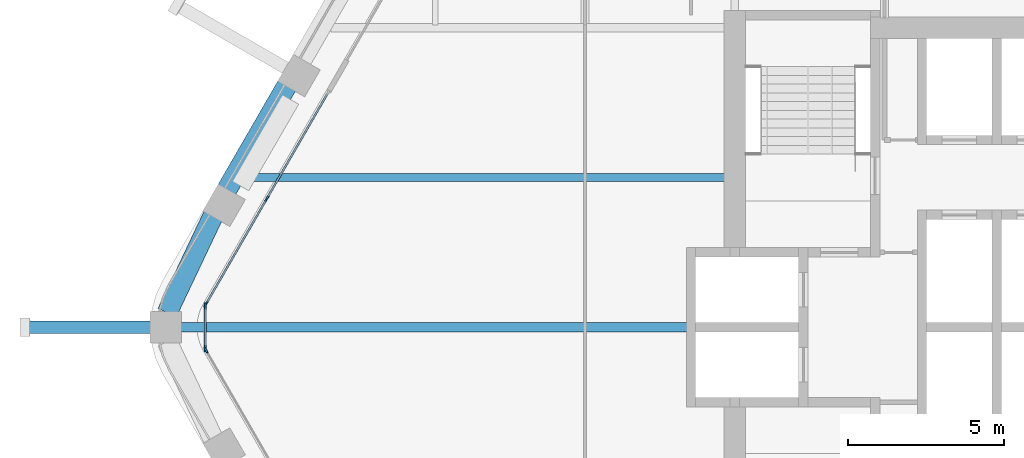
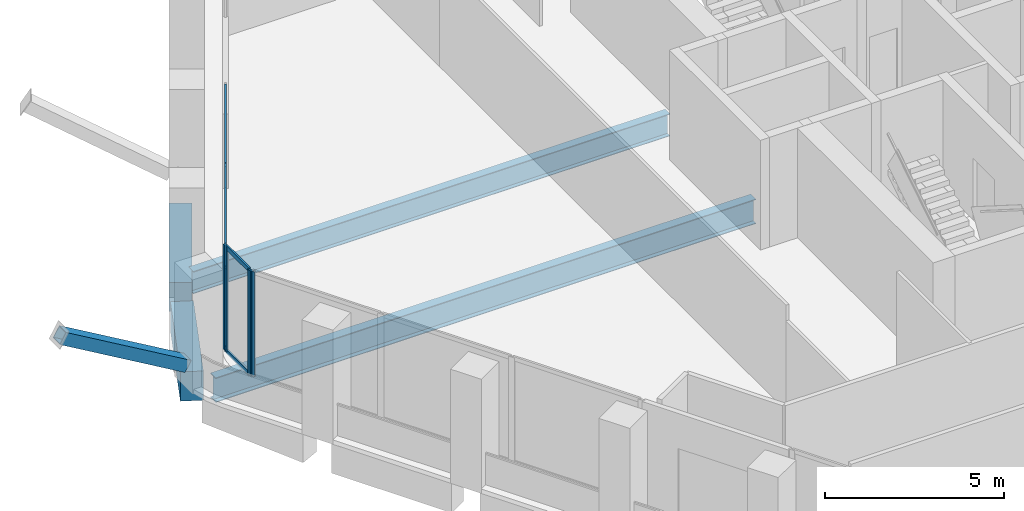
# One storey, part 3 of 16: 12 members, 4 beams, 3 elements without a shape of their own.
"""IFC4 building model written with IfcOpenShell, lengths in metres."""

from ifc_helpers import new_model, si_unit, direction, frame, origin, origin_2d, place, context, subcontext, project, spatial, rectangle, hollow_rectangle, i_section, extrude, material, material_profile, profile_set, type_object, element, aggregate, save


model = new_model("IFC4")

# Units and contexts
model_context = context("Model", 3, precision=1e-05, world=origin(), true_north=direction((0.0, 1.0)))
body_context = subcontext(model_context, "Body", "Model", "MODEL_VIEW")
ifc_project = project(units=[si_unit("LENGTHUNIT", "METRE"), si_unit("AREAUNIT", "SQUARE_METRE"), si_unit("VOLUMEUNIT", "CUBIC_METRE"), si_unit("PLANEANGLEUNIT", "RADIAN"), si_unit("MASSUNIT", "GRAM", prefix="KILO")], contexts=[model_context])

# Site, building, storey
site_placement = place(None, origin())
site = spatial("IfcSite", under=ifc_project, at=site_placement, CompositionType="ELEMENT")
building_placement = place(site_placement, origin())
building = spatial("IfcBuilding", under=site, at=building_placement, Name="Kolab Exchange Tower", CompositionType="ELEMENT")
storey_placement = place(building_placement, frame((0.0, 0.0, 146.60009765625)))
storey = spatial("IfcBuildingStorey", under=building, at=storey_placement, Name="L29", CompositionType="ELEMENT", Elevation=146.60009765625)

# Beams
ifc_material_1 = material(Name="Steel S355", Category="steel")
ifc_material_profile_1 = material_profile(ifc_material_1, i_section(OverallWidth=0.26708984375, OverallDepth=0.761962890625, WebThickness=0.014404296875, FlangeThickness=0.021484375, at=origin_2d()), Name="W760X173")
ifc_profile_set_1 = profile_set([ifc_material_profile_1], Name="Steel S355")
beam_type_1 = type_object("IfcBeamType", Name="FLOOR BEAM W760X173", PredefinedType="BEAM", material=ifc_profile_set_1)
beam_1_placement = place(storey_placement, frame((-25.318115234375, 4.800048828125, -0.531005859375), z_axis=(1.0, 0.0, 0.0), x_axis=(0.0, 1.0, 0.0)))
element("IfcBeam", 1, at=beam_1_placement, inside=storey, type_object=beam_type_1, Name="beam/L29/fr/002", PredefinedType="BEAM", context=body_context, shape_type="SweptSolid", body=[
    extrude(i_section(OverallWidth=0.26708984375, OverallDepth=0.761962890625, WebThickness=0.014404296875, FlangeThickness=0.021484375, at=origin_2d()), origin(), (0.0, 0.0, 1.0), 15.408203125),
])
ifc_material_profile_2 = material_profile(ifc_material_1, i_section(OverallWidth=0.2919921875, OverallDepth=0.840087890625, WebThickness=0.0146484375, FlangeThickness=0.021728515625, at=origin_2d()), Name="W840X193")
ifc_profile_set_2 = profile_set([ifc_material_profile_2], Name="Steel S355")
beam_type_2 = type_object("IfcBeamType", Name="FLOOR BEAM W840X193", PredefinedType="BEAM", material=ifc_profile_set_2)
beam_2_placement = place(storey_placement, frame((-27.3759765625, 0.0, -0.570068359375), z_axis=(1.0, 0.0, 0.0), x_axis=(0.0, 1.0, 0.0)))
element("IfcBeam", 2, at=beam_2_placement, inside=storey, type_object=beam_type_2, Name="beam/L29/fr/000", PredefinedType="BEAM", context=body_context, shape_type="SweptSolid", body=[
    extrude(i_section(OverallWidth=0.2919921875, OverallDepth=0.840087890625, WebThickness=0.0146484375, FlangeThickness=0.021728515625, at=origin_2d()), origin(), (0.0, 0.0, 1.0), 17.466064453125),
])

# Member
ifc_material_profile_3 = material_profile(ifc_material_1, hollow_rectangle(XDim=0.39990234375, YDim=0.39990234375, WallThickness=0.02001953125, at=origin_2d()), Name="HSS400X400X20")
ifc_profile_set_3 = profile_set([ifc_material_profile_3], Name="Steel S355")
member_type_1 = type_object("IfcMemberType", Name="LEDGE STRUT HSS400X400X20", PredefinedType="STRUT", material=ifc_profile_set_3)
member_1_placement = place(storey_placement, frame((-28.2958984375, 0.0, 0.599853515625), z_axis=(-0.862710518859, 0.0, 0.505698092394), x_axis=(0.0, -1.0, 0.0)))
element("IfcMember", 3, at=member_1_placement, inside=storey, type_object=member_type_1, Name="mem/L29/ledge/strut-0", PredefinedType="STRUT", context=body_context, shape_type="SweptSolid", body=[
    extrude(hollow_rectangle(XDim=0.39990234375, YDim=0.39990234375, WallThickness=0.02001953125, at=origin_2d()), origin(), (0.0, 0.0, 1.0), 4.682861328125),
])

# Beams
ifc_material_2 = material(Name="Concrete C60/75", Category="concrete")
ifc_material_profile_4 = material_profile(ifc_material_2, rectangle(XDim=0.64990234375, YDim=1.0, at=origin_2d()), Name="RC650X1000")
ifc_profile_set_4 = profile_set([ifc_material_profile_4], Name="Concrete C60/75")
beam_type_3 = type_object("IfcBeamType", Name="SPANDREL BEAM 650X1000 C60/75", PredefinedType="BEAM", material=ifc_profile_set_4)
beam_3_placement = place(storey_placement, frame((-27.791259765625, 0.4638671875, -0.650146484375), z_axis=(0.428177731975, 0.903694544545, 0.0), x_axis=(-0.903694544545, 0.428177731975, 0.0)))
element("IfcBeam", 4, at=beam_3_placement, inside=storey, type_object=beam_type_3, Name="beam/L29/sp/F6-01", PredefinedType="BEAM", context=body_context, shape_type="SweptSolid", body=[
    extrude(rectangle(XDim=0.64990234375, YDim=1.0, at=origin_2d()), origin(), (0.0, 0.0, 1.0), 3.445068359375),
])
beam_4_placement = place(storey_placement, frame((-25.888427734375, 4.392822265625, -0.650146484375), z_axis=(0.499996613652, 0.866027358884, 0.0), x_axis=(-0.866027358884, 0.499996613652, 0.0)))
element("IfcBeam", 5, at=beam_4_placement, inside=storey, type_object=beam_type_3, Name="beam/L29/sp/F6-02", PredefinedType="BEAM", context=body_context, shape_type="SweptSolid", body=[
    extrude(rectangle(XDim=0.64990234375, YDim=1.0, at=origin_2d()), origin(), (0.0, 0.0, 1.0), 3.8798828125),
])

# Curtain wall, member
ifc_material_3 = material(Name="Aluminium EN AW-6063 T6", Category="aluminium")
curtain_wall_type = type_object("IfcCurtainWallType", Name="UNITISED UPPER MID ZONE CURTAIN WALL", PredefinedType="NOTDEFINED", material=ifc_material_3)
curtain_wall_1_placement = place(storey_placement, origin())
curtain_wall_1 = element("IfcCurtainWall", 6, at=curtain_wall_1_placement, inside=storey, type_object=curtain_wall_type, Name="cw/L29/F5-2", PredefinedType="NOTDEFINED")
ifc_material_profile_5 = material_profile(ifc_material_3, rectangle(XDim=0.06005859375, YDim=0.199951171875, at=origin_2d()), Name="RECT 60X200")
ifc_profile_set_5 = profile_set([ifc_material_profile_5], Name="Aluminium EN AW-6063 T6")
member_type_2 = type_object("IfcMemberType", Name="UNITISED UPPER MID ZONE MULLION 60 X 200", PredefinedType="MULLION", material=ifc_profile_set_5)
member_2_placement = place(storey_placement, frame((-26.550537109375, -0.736083984375, 0.0), z_axis=(0.0, 0.0, 1.0), x_axis=(-0.866025427826, -0.499999958358, 0.0)))
member_2 = element("IfcMember", 7, at=member_2_placement, type_object=member_type_2, Name="CW3 mullion 4", PredefinedType="MULLION", context=body_context, shape_type="SweptSolid", body=[
    extrude(rectangle(XDim=0.06005859375, YDim=0.199951171875, at=origin_2d()), origin(), (0.0, 0.0, 1.0), 3.599853515625),
])
aggregate(curtain_wall_1, [member_2])

# Curtain wall, members
curtain_wall_2_placement = place(storey_placement, origin())
curtain_wall_2 = element("IfcCurtainWall", 8, at=curtain_wall_2_placement, inside=storey, type_object=curtain_wall_type, Name="cw/L29/F6-1", PredefinedType="NOTDEFINED")
member_3_placement = place(storey_placement, frame((-26.550537109375, 0.736083984375, 0.0), z_axis=(0.0, 0.0, 1.0), x_axis=(-0.866025440524, 0.499999936366, 0.0)))
member_3 = element("IfcMember", 9, at=member_3_placement, type_object=member_type_2, Name="CW3 mullion 1", PredefinedType="MULLION", context=body_context, shape_type="SweptSolid", body=[
    extrude(rectangle(XDim=0.06005859375, YDim=0.199951171875, at=origin_2d()), origin(), (0.0, 0.0, 1.0), 3.599853515625),
])
member_4_placement = place(storey_placement, frame((-24.5986328125, 4.116943359375, 0.0), z_axis=(0.0, 0.0, 1.0), x_axis=(-0.866025440524, 0.499999936366, 0.0)))
member_4 = element("IfcMember", 10, at=member_4_placement, type_object=member_type_2, Name="CW3 mullion 2", PredefinedType="MULLION", context=body_context, shape_type="SweptSolid", body=[
    extrude(rectangle(XDim=0.06005859375, YDim=0.199951171875, at=origin_2d()), origin(), (0.0, 0.0, 1.0), 3.599853515625),
])

curtain_wall_3_placement = place(storey_placement, origin())
curtain_wall_3 = element("IfcCurtainWall", 11, at=curtain_wall_3_placement, inside=storey, type_object=curtain_wall_type, Name="cw/L29/F5F6-corner", PredefinedType="NOTDEFINED")
member_5_placement = place(storey_placement, frame((-26.565673828125, -0.679931640625, 0.0), z_axis=(0.0, 0.0, 1.0), x_axis=(-1.0, 0.0, 0.0)))
member_5 = element("IfcMember", 12, at=member_5_placement, type_object=member_type_2, Name="CW3 mullion 1", PredefinedType="MULLION", context=body_context, shape_type="SweptSolid", body=[
    extrude(rectangle(XDim=0.06005859375, YDim=0.199951171875, at=origin_2d()), origin(), (0.0, 0.0, 1.0), 3.599853515625),
])
member_6_placement = place(storey_placement, frame((-26.565673828125, 0.679931640625, 0.0), z_axis=(0.0, 0.0, 1.0), x_axis=(-1.0, 0.0, 0.0)))
member_6 = element("IfcMember", 13, at=member_6_placement, type_object=member_type_2, Name="CW3 mullion 2", PredefinedType="MULLION", context=body_context, shape_type="SweptSolid", body=[
    extrude(rectangle(XDim=0.06005859375, YDim=0.199951171875, at=origin_2d()), origin(), (0.0, 0.0, 1.0), 3.599853515625),
])

# Member
ifc_material_profile_6 = material_profile(ifc_material_3, rectangle(XDim=0.06005859375, YDim=0.139892578125, at=origin_2d()), Name="RECT 60X140")
ifc_profile_set_6 = profile_set([ifc_material_profile_6], Name="Aluminium EN AW-6063 T6")
member_type_3 = type_object("IfcMemberType", Name="UNITISED UPPER MID ZONE TRANSOM 60 X 140", PredefinedType="USERDEFINED", material=ifc_profile_set_6)
member_7_placement = place(storey_placement, frame((-26.53564453125, 0.761962890625, 0.02978515625), z_axis=(0.499991857942, 0.866030104553, 0.0), x_axis=(-0.866030104553, 0.499991857942, 0.0)))
member_7 = element("IfcMember", 14, at=member_7_placement, type_object=member_type_3, Name="CW3 transom 1.1", ObjectType="TRANSOM", PredefinedType="USERDEFINED", context=body_context, shape_type="SweptSolid", body=[
    extrude(rectangle(XDim=0.06005859375, YDim=0.139892578125, at=origin_2d()), origin(), (0.0, 0.0, 1.0), 3.84375),
])

member_8_placement = place(storey_placement, frame((-26.53564453125, 0.761962890625, 3.56982421875), z_axis=(0.499991857942, 0.866030104553, 0.0), x_axis=(-0.866030104553, 0.499991857942, 0.0)))
member_8 = element("IfcMember", 15, at=member_8_placement, type_object=member_type_3, Name="CW3 transom 1.2", ObjectType="TRANSOM", PredefinedType="USERDEFINED", context=body_context, shape_type="SweptSolid", body=[
    extrude(rectangle(XDim=0.06005859375, YDim=0.139892578125, at=origin_2d()), origin(), (0.0, 0.0, 1.0), 3.84375),
])

member_9_placement = place(storey_placement, frame((-24.583740234375, 4.142822265625, 0.02978515625), z_axis=(0.500011990396, 0.866018481016, 0.0), x_axis=(-0.866018481016, 0.500011990396, 0.0)))
member_9 = element("IfcMember", 16, at=member_9_placement, type_object=member_type_3, Name="CW3 transom 2.1", ObjectType="TRANSOM", PredefinedType="USERDEFINED", context=body_context, shape_type="SweptSolid", body=[
    extrude(rectangle(XDim=0.06005859375, YDim=0.139892578125, at=origin_2d()), origin(), (0.0, 0.0, 1.0), 3.84423828125),
])

member_10_placement = place(storey_placement, frame((-24.583740234375, 4.142822265625, 3.56982421875), z_axis=(0.500011990396, 0.866018481016, 0.0), x_axis=(-0.866018481016, 0.500011990396, 0.0)))
member_10 = element("IfcMember", 17, at=member_10_placement, type_object=member_type_3, Name="CW3 transom 2.2", ObjectType="TRANSOM", PredefinedType="USERDEFINED", context=body_context, shape_type="SweptSolid", body=[
    extrude(rectangle(XDim=0.06005859375, YDim=0.139892578125, at=origin_2d()), origin(), (0.0, 0.0, 1.0), 3.84423828125),
])

aggregate(curtain_wall_2, [member_3, member_4, member_7, member_8, member_9, member_10])

member_11_placement = place(storey_placement, frame((-26.565673828125, -0.64990234375, 0.02978515625), z_axis=(0.0, 1.0, 0.0), x_axis=(-1.0, 0.0, 0.0)))
member_11 = element("IfcMember", 18, at=member_11_placement, type_object=member_type_3, Name="CW3 transom 1.1", ObjectType="TRANSOM", PredefinedType="USERDEFINED", context=body_context, shape_type="SweptSolid", body=[
    extrude(rectangle(XDim=0.06005859375, YDim=0.139892578125, at=origin_2d()), origin(), (0.0, 0.0, 1.0), 1.2998046875),
])

member_12_placement = place(storey_placement, frame((-26.565673828125, -0.64990234375, 3.56982421875), z_axis=(0.0, 1.0, 0.0), x_axis=(-1.0, 0.0, 0.0)))
member_12 = element("IfcMember", 19, at=member_12_placement, type_object=member_type_3, Name="CW3 transom 1.2", ObjectType="TRANSOM", PredefinedType="USERDEFINED", context=body_context, shape_type="SweptSolid", body=[
    extrude(rectangle(XDim=0.06005859375, YDim=0.139892578125, at=origin_2d()), origin(), (0.0, 0.0, 1.0), 1.2998046875),
])

aggregate(curtain_wall_3, [member_5, member_6, member_11, member_12])

save(model, "model.ifc")
